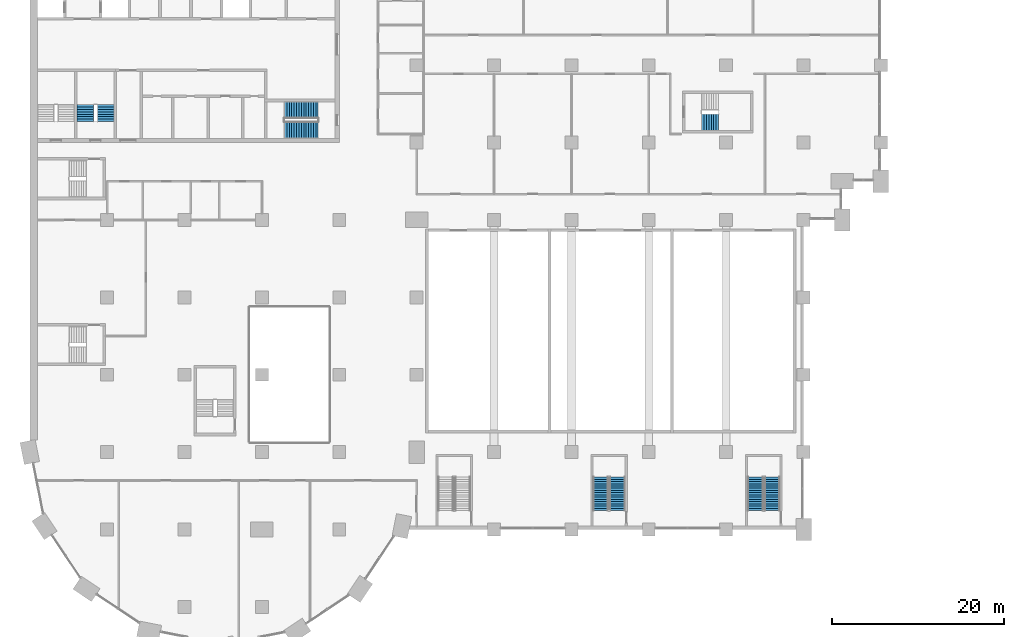
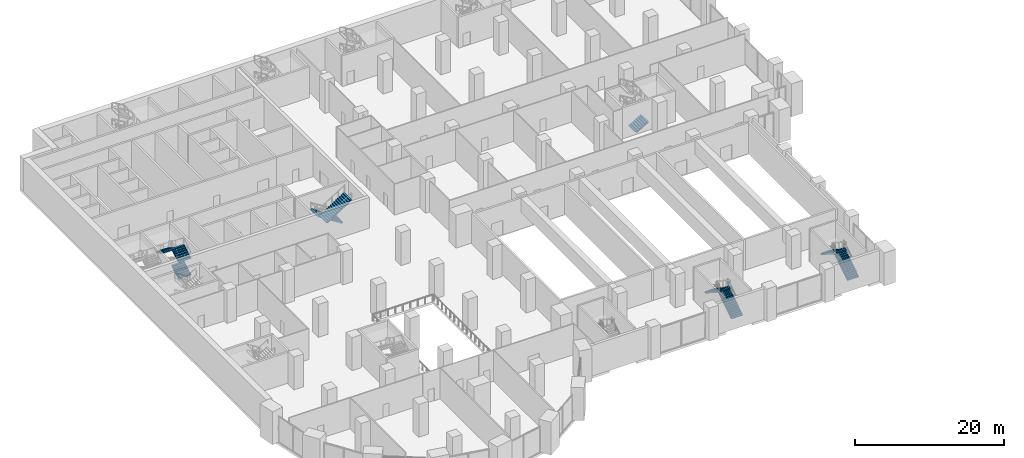
# One storey, part 26 of 43: 10 stair flights, 5 elements without a shape of their own.
"""IFC4 building model written with IfcOpenShell, lengths in metres."""

from ifc_helpers import new_model, si_unit, direction, frame, origin, place, context, subcontext, project, spatial, polyline, outline, extrude, material, type_object, element, aggregate, save


model = new_model("IFC4")

# Units and contexts
model_context = context("Model", 3, precision=1e-05, world=origin(), true_north=direction((0.0, 1.0)))
body_context = subcontext(model_context, "Body", "Model", "MODEL_VIEW")
ifc_project = project(units=[si_unit("LENGTHUNIT", "METRE"), si_unit("AREAUNIT", "SQUARE_METRE"), si_unit("VOLUMEUNIT", "CUBIC_METRE"), si_unit("PLANEANGLEUNIT", "RADIAN"), si_unit("MASSUNIT", "GRAM", prefix="KILO")], contexts=[model_context])

# Site, building, storey
site_placement = place(None, origin())
site = spatial("IfcSite", under=ifc_project, at=site_placement, CompositionType="ELEMENT")
building_placement = place(site_placement, origin())
building = spatial("IfcBuilding", under=site, at=building_placement, Name="Hunhe Ridgeline Campus", CompositionType="ELEMENT")
storey_placement = place(building_placement, frame((0.0, 0.0, 11.39990234375)))
storey = spatial("IfcBuildingStorey", under=building, at=storey_placement, Name="L02", CompositionType="ELEMENT", Elevation=11.39990234375)

# Stair, stair flights
ifc_material = material(Name="Concrete C40", Category="concrete")
stair_type_1 = type_object("IfcStairType", Name="Podium exit stair 1800", PredefinedType="HALF_TURN_STAIR", material=ifc_material)
stair_1_placement = place(storey_placement, origin())
stair_1 = element("IfcStair", 1, at=stair_1_placement, inside=storey, type_object=stair_type_1, Name="L02 podium stair PS2", PredefinedType="HALF_TURN_STAIR")
stair_flight_type_1 = type_object("IfcStairFlightType", Name="Podium stair flight 1800", PredefinedType="STRAIGHT", material=ifc_material)
stair_flight_1_placement = place(storey_placement, frame((68.35009765625, 20.199951171875, 0.0), z_axis=(0.0, 0.0, 1.0), x_axis=(0.0, 1.0, 0.0)))
stair_flight_1 = element("IfcStairFlight", 2, at=stair_flight_1_placement, type_object=stair_flight_type_1, Name="PS2 flight 1", NumberOfRisers=16, NumberOfTreads=15, PredefinedType="STRAIGHT", RiserHeight=0.16875, TreadLength=0.26, context=body_context, shape_type="SweptSolid", body=[
    extrude(outline(polyline([(0.0, 0.0), (0.0, 0.168701171875), (0.260009765625, 0.168701171875), (0.260009765625, 0.33740234375), (0.52001953125, 0.33740234375), (0.52001953125, 0.50634765625), (0.780029296875, 0.50634765625), (0.780029296875, 0.675048828125), (1.0400390625, 0.675048828125), (1.0400390625, 0.84375), (1.300048828125, 0.84375), (1.300048828125, 1.012451171875), (1.56005859375, 1.012451171875), (1.56005859375, 1.18115234375), (1.820068359375, 1.18115234375), (1.820068359375, 1.35009765625), (2.080078125, 1.35009765625), (2.080078125, 1.518798828125), (2.340087890625, 1.518798828125), (2.340087890625, 1.6875), (2.60009765625, 1.6875), (2.60009765625, 1.856201171875), (2.860107421875, 1.856201171875), (2.860107421875, 2.02490234375), (3.1201171875, 2.02490234375), (3.1201171875, 2.19384765625), (3.3798828125, 2.19384765625), (3.3798828125, 2.362548828125), (3.639892578125, 2.362548828125), (3.639892578125, 2.53125), (3.89990234375, 2.53125), (3.89990234375, 2.699951171875), (3.89990234375, 2.3525390625), (0.275390625, 0.0), (0.0, 0.0)])), frame((0.0, 0.89990234375, 0.0), z_axis=(0.0, -1.0, 0.0), x_axis=(1.0, 0.0, 0.0)), (0.0, 0.0, 1.0), 1.800048828125),
])
stair_flight_2_placement = place(storey_placement, frame((66.39990234375, 24.10009765625, 2.7001953125), z_axis=(0.0, 0.0, 1.0), x_axis=(0.0, -1.0, 0.0)))
stair_flight_2 = element("IfcStairFlight", 3, at=stair_flight_2_placement, type_object=stair_flight_type_1, Name="PS2 flight 2", NumberOfRisers=16, NumberOfTreads=15, PredefinedType="STRAIGHT", RiserHeight=0.16875, TreadLength=0.26, context=body_context, shape_type="SweptSolid", body=[
    extrude(outline(polyline([(0.0, 0.0), (0.0, 0.168701171875), (0.260009765625, 0.168701171875), (0.260009765625, 0.33740234375), (0.52001953125, 0.33740234375), (0.52001953125, 0.50634765625), (0.780029296875, 0.50634765625), (0.780029296875, 0.675048828125), (1.0400390625, 0.675048828125), (1.0400390625, 0.84375), (1.300048828125, 0.84375), (1.300048828125, 1.012451171875), (1.56005859375, 1.012451171875), (1.56005859375, 1.18115234375), (1.820068359375, 1.18115234375), (1.820068359375, 1.35009765625), (2.080078125, 1.35009765625), (2.080078125, 1.518798828125), (2.340087890625, 1.518798828125), (2.340087890625, 1.6875), (2.60009765625, 1.6875), (2.60009765625, 1.856201171875), (2.860107421875, 1.856201171875), (2.860107421875, 2.02490234375), (3.1201171875, 2.02490234375), (3.1201171875, 2.19384765625), (3.3798828125, 2.19384765625), (3.3798828125, 2.362548828125), (3.639892578125, 2.362548828125), (3.639892578125, 2.53125), (3.89990234375, 2.53125), (3.89990234375, 2.699951171875), (3.89990234375, 2.3525390625), (0.275390625, 0.0), (0.0, 0.0)])), frame((0.0, 0.89990234375, 0.0), z_axis=(0.0, -1.0, 0.0), x_axis=(1.0, 0.0, 0.0)), (0.0, 0.0, 1.0), 1.800048828125),
])
aggregate(stair_1, [stair_flight_1, stair_flight_2])

stair_2_placement = place(storey_placement, origin())
stair_2 = element("IfcStair", 4, at=stair_2_placement, inside=storey, type_object=stair_type_1, Name="L02 podium stair PS3", PredefinedType="HALF_TURN_STAIR")
stair_flight_3_placement = place(storey_placement, frame((86.35009765625, 20.199951171875, 0.0), z_axis=(0.0, 0.0, 1.0), x_axis=(0.0, 1.0, 0.0)))
stair_flight_3 = element("IfcStairFlight", 5, at=stair_flight_3_placement, type_object=stair_flight_type_1, Name="PS3 flight 1", NumberOfRisers=16, NumberOfTreads=15, PredefinedType="STRAIGHT", RiserHeight=0.16875, TreadLength=0.26, context=body_context, shape_type="SweptSolid", body=[
    extrude(outline(polyline([(0.0, 0.0), (0.0, 0.168701171875), (0.260009765625, 0.168701171875), (0.260009765625, 0.33740234375), (0.52001953125, 0.33740234375), (0.52001953125, 0.50634765625), (0.780029296875, 0.50634765625), (0.780029296875, 0.675048828125), (1.0400390625, 0.675048828125), (1.0400390625, 0.84375), (1.300048828125, 0.84375), (1.300048828125, 1.012451171875), (1.56005859375, 1.012451171875), (1.56005859375, 1.18115234375), (1.820068359375, 1.18115234375), (1.820068359375, 1.35009765625), (2.080078125, 1.35009765625), (2.080078125, 1.518798828125), (2.340087890625, 1.518798828125), (2.340087890625, 1.6875), (2.60009765625, 1.6875), (2.60009765625, 1.856201171875), (2.860107421875, 1.856201171875), (2.860107421875, 2.02490234375), (3.1201171875, 2.02490234375), (3.1201171875, 2.19384765625), (3.3798828125, 2.19384765625), (3.3798828125, 2.362548828125), (3.639892578125, 2.362548828125), (3.639892578125, 2.53125), (3.89990234375, 2.53125), (3.89990234375, 2.699951171875), (3.89990234375, 2.3525390625), (0.275390625, 0.0), (0.0, 0.0)])), frame((0.0, 0.89990234375, 0.0), z_axis=(0.0, -1.0, 0.0), x_axis=(1.0, 0.0, 0.0)), (0.0, 0.0, 1.0), 1.800048828125),
])
stair_flight_4_placement = place(storey_placement, frame((84.39990234375, 24.10009765625, 2.7001953125), z_axis=(0.0, 0.0, 1.0), x_axis=(0.0, -1.0, 0.0)))
stair_flight_4 = element("IfcStairFlight", 6, at=stair_flight_4_placement, type_object=stair_flight_type_1, Name="PS3 flight 2", NumberOfRisers=16, NumberOfTreads=15, PredefinedType="STRAIGHT", RiserHeight=0.16875, TreadLength=0.26, context=body_context, shape_type="SweptSolid", body=[
    extrude(outline(polyline([(0.0, 0.0), (0.0, 0.168701171875), (0.260009765625, 0.168701171875), (0.260009765625, 0.33740234375), (0.52001953125, 0.33740234375), (0.52001953125, 0.50634765625), (0.780029296875, 0.50634765625), (0.780029296875, 0.675048828125), (1.0400390625, 0.675048828125), (1.0400390625, 0.84375), (1.300048828125, 0.84375), (1.300048828125, 1.012451171875), (1.56005859375, 1.012451171875), (1.56005859375, 1.18115234375), (1.820068359375, 1.18115234375), (1.820068359375, 1.35009765625), (2.080078125, 1.35009765625), (2.080078125, 1.518798828125), (2.340087890625, 1.518798828125), (2.340087890625, 1.6875), (2.60009765625, 1.6875), (2.60009765625, 1.856201171875), (2.860107421875, 1.856201171875), (2.860107421875, 2.02490234375), (3.1201171875, 2.02490234375), (3.1201171875, 2.19384765625), (3.3798828125, 2.19384765625), (3.3798828125, 2.362548828125), (3.639892578125, 2.362548828125), (3.639892578125, 2.53125), (3.89990234375, 2.53125), (3.89990234375, 2.699951171875), (3.89990234375, 2.3525390625), (0.275390625, 0.0), (0.0, 0.0)])), frame((0.0, 0.89990234375, 0.0), z_axis=(0.0, -1.0, 0.0), x_axis=(1.0, 0.0, 0.0)), (0.0, 0.0, 1.0), 1.800048828125),
])
aggregate(stair_2, [stair_flight_3, stair_flight_4])

stair_type_2 = type_object("IfcStairType", Name="Reinforced concrete dog-leg stair 1950 Concrete C40", PredefinedType="HALF_TURN_STAIR", material=ifc_material)
stair_3_placement = place(storey_placement, origin())
stair_3 = element("IfcStair", 7, at=stair_3_placement, inside=storey, type_object=stair_type_2, Name="L02 S2", PredefinedType="HALF_TURN_STAIR")
stair_flight_type_2 = type_object("IfcStairFlightType", Name="Reinforced concrete stair flight 1950 Concrete C40", PredefinedType="STRAIGHT", material=ifc_material)
stair_flight_5_placement = place(storey_placement, frame((33.550048828125, 66.77490234375, 0.0), z_axis=(0.0, 0.0, 1.0), x_axis=(-1.0, 0.0, 0.0)))
stair_flight_5 = element("IfcStairFlight", 8, at=stair_flight_5_placement, type_object=stair_flight_type_2, Name="ST2 flight 1", NumberOfRisers=15, NumberOfTreads=14, PredefinedType="STRAIGHT", RiserHeight=0.18, TreadLength=0.28, context=body_context, shape_type="SweptSolid", body=[
    extrude(outline(polyline([(0.0, 0.0), (0.0, 0.179931640625), (0.280029296875, 0.179931640625), (0.280029296875, 0.360107421875), (0.56005859375, 0.360107421875), (0.56005859375, 0.5400390625), (0.840087890625, 0.5400390625), (0.840087890625, 0.719970703125), (1.1201171875, 0.719970703125), (1.1201171875, 0.89990234375), (1.39990234375, 0.89990234375), (1.39990234375, 1.080078125), (1.679931640625, 1.080078125), (1.679931640625, 1.260009765625), (1.9599609375, 1.260009765625), (1.9599609375, 1.43994140625), (2.239990234375, 1.43994140625), (2.239990234375, 1.6201171875), (2.52001953125, 1.6201171875), (2.52001953125, 1.800048828125), (2.800048828125, 1.800048828125), (2.800048828125, 1.97998046875), (3.080078125, 1.97998046875), (3.080078125, 2.159912109375), (3.360107421875, 2.159912109375), (3.360107421875, 2.340087890625), (3.639892578125, 2.340087890625), (3.639892578125, 2.52001953125), (3.919921875, 2.52001953125), (3.919921875, 2.699951171875), (3.919921875, 2.341796875), (0.277099609375, 0.0), (0.0, 0.0)])), frame((0.0, 0.97509765625, 0.0), z_axis=(0.0, -1.0, 0.0), x_axis=(1.0, 0.0, 0.0)), (0.0, 0.0, 1.0), 1.949951171875),
    extrude(outline(polyline([(0.030029296875, 0.030029296875), (0.030029296875, 0.14990234375), (0.31005859375, 0.14990234375), (0.31005859375, 0.330078125), (0.590087890625, 0.330078125), (0.590087890625, 0.510009765625), (0.8701171875, 0.510009765625), (0.8701171875, 0.68994140625), (1.14990234375, 0.68994140625), (1.14990234375, 0.8701171875), (1.429931640625, 0.8701171875), (1.429931640625, 1.050048828125), (1.7099609375, 1.050048828125), (1.7099609375, 1.22998046875), (1.989990234375, 1.22998046875), (1.989990234375, 1.409912109375), (2.27001953125, 1.409912109375), (2.27001953125, 1.590087890625), (2.550048828125, 1.590087890625), (2.550048828125, 1.77001953125), (2.830078125, 1.77001953125), (2.830078125, 1.949951171875), (3.110107421875, 1.949951171875), (3.110107421875, 2.1298828125), (3.389892578125, 2.1298828125), (3.389892578125, 2.31005859375), (3.669921875, 2.31005859375), (3.669921875, 2.489990234375), (3.889892578125, 2.489990234375), (3.889892578125, 2.358154296875), (0.268310546875, 0.030029296875), (0.030029296875, 0.030029296875)])), frame((0.0, -0.070068359375, 0.0), z_axis=(0.0, -1.0, 0.0), x_axis=(1.0, 0.0, 0.0)), (0.0, 0.0, 1.0), 0.019775390625),
    extrude(outline(polyline([(0.030029296875, 0.030029296875), (0.030029296875, 0.14990234375), (0.31005859375, 0.14990234375), (0.31005859375, 0.330078125), (0.590087890625, 0.330078125), (0.590087890625, 0.510009765625), (0.8701171875, 0.510009765625), (0.8701171875, 0.68994140625), (1.14990234375, 0.68994140625), (1.14990234375, 0.8701171875), (1.429931640625, 0.8701171875), (1.429931640625, 1.050048828125), (1.7099609375, 1.050048828125), (1.7099609375, 1.22998046875), (1.989990234375, 1.22998046875), (1.989990234375, 1.409912109375), (2.27001953125, 1.409912109375), (2.27001953125, 1.590087890625), (2.550048828125, 1.590087890625), (2.550048828125, 1.77001953125), (2.830078125, 1.77001953125), (2.830078125, 1.949951171875), (3.110107421875, 1.949951171875), (3.110107421875, 2.1298828125), (3.389892578125, 2.1298828125), (3.389892578125, 2.31005859375), (3.669921875, 2.31005859375), (3.669921875, 2.489990234375), (3.889892578125, 2.489990234375), (3.889892578125, 2.358154296875), (0.268310546875, 0.030029296875), (0.030029296875, 0.030029296875)])), frame((0.0, 0.010009765625, 0.0), z_axis=(0.0, -1.0, 0.0), x_axis=(1.0, 0.0, 0.0)), (0.0, 0.0, 1.0), 0.019775390625),
    extrude(outline(polyline([(0.030029296875, 0.030029296875), (0.030029296875, 0.14990234375), (0.31005859375, 0.14990234375), (0.31005859375, 0.330078125), (0.590087890625, 0.330078125), (0.590087890625, 0.510009765625), (0.8701171875, 0.510009765625), (0.8701171875, 0.68994140625), (1.14990234375, 0.68994140625), (1.14990234375, 0.8701171875), (1.429931640625, 0.8701171875), (1.429931640625, 1.050048828125), (1.7099609375, 1.050048828125), (1.7099609375, 1.22998046875), (1.989990234375, 1.22998046875), (1.989990234375, 1.409912109375), (2.27001953125, 1.409912109375), (2.27001953125, 1.590087890625), (2.550048828125, 1.590087890625), (2.550048828125, 1.77001953125), (2.830078125, 1.77001953125), (2.830078125, 1.949951171875), (3.110107421875, 1.949951171875), (3.110107421875, 2.1298828125), (3.389892578125, 2.1298828125), (3.389892578125, 2.31005859375), (3.669921875, 2.31005859375), (3.669921875, 2.489990234375), (3.889892578125, 2.489990234375), (3.889892578125, 2.358154296875), (0.268310546875, 0.030029296875), (0.030029296875, 0.030029296875)])), frame((0.0, 0.090087890625, 0.0), z_axis=(0.0, -1.0, 0.0), x_axis=(1.0, 0.0, 0.0)), (0.0, 0.0, 1.0), 0.019775390625),
])
stair_flight_6_placement = place(storey_placement, frame((29.6298828125, 64.47509765625, 2.7001953125), z_axis=(0.0, 0.0, 1.0), x_axis=(1.0, 0.0, 0.0)))
stair_flight_6 = element("IfcStairFlight", 9, at=stair_flight_6_placement, type_object=stair_flight_type_2, Name="ST2 flight 2", NumberOfRisers=15, NumberOfTreads=14, PredefinedType="STRAIGHT", RiserHeight=0.18, TreadLength=0.28, context=body_context, shape_type="SweptSolid", body=[
    extrude(outline(polyline([(0.0, 0.0), (0.0, 0.179931640625), (0.280029296875, 0.179931640625), (0.280029296875, 0.360107421875), (0.56005859375, 0.360107421875), (0.56005859375, 0.5400390625), (0.840087890625, 0.5400390625), (0.840087890625, 0.719970703125), (1.1201171875, 0.719970703125), (1.1201171875, 0.89990234375), (1.39990234375, 0.89990234375), (1.39990234375, 1.080078125), (1.679931640625, 1.080078125), (1.679931640625, 1.260009765625), (1.9599609375, 1.260009765625), (1.9599609375, 1.43994140625), (2.239990234375, 1.43994140625), (2.239990234375, 1.6201171875), (2.52001953125, 1.6201171875), (2.52001953125, 1.800048828125), (2.800048828125, 1.800048828125), (2.800048828125, 1.97998046875), (3.080078125, 1.97998046875), (3.080078125, 2.159912109375), (3.360107421875, 2.159912109375), (3.360107421875, 2.340087890625), (3.639892578125, 2.340087890625), (3.639892578125, 2.52001953125), (3.919921875, 2.52001953125), (3.919921875, 2.699951171875), (3.919921875, 2.341796875), (0.277099609375, 0.0), (0.0, 0.0)])), frame((0.0, 0.97509765625, 0.0), z_axis=(0.0, -1.0, 0.0), x_axis=(1.0, 0.0, 0.0)), (0.0, 0.0, 1.0), 1.949951171875),
    extrude(outline(polyline([(0.030029296875, 0.030029296875), (0.030029296875, 0.14990234375), (0.31005859375, 0.14990234375), (0.31005859375, 0.330078125), (0.590087890625, 0.330078125), (0.590087890625, 0.510009765625), (0.8701171875, 0.510009765625), (0.8701171875, 0.68994140625), (1.14990234375, 0.68994140625), (1.14990234375, 0.8701171875), (1.429931640625, 0.8701171875), (1.429931640625, 1.050048828125), (1.7099609375, 1.050048828125), (1.7099609375, 1.22998046875), (1.989990234375, 1.22998046875), (1.989990234375, 1.409912109375), (2.27001953125, 1.409912109375), (2.27001953125, 1.590087890625), (2.550048828125, 1.590087890625), (2.550048828125, 1.77001953125), (2.830078125, 1.77001953125), (2.830078125, 1.949951171875), (3.110107421875, 1.949951171875), (3.110107421875, 2.1298828125), (3.389892578125, 2.1298828125), (3.389892578125, 2.31005859375), (3.669921875, 2.31005859375), (3.669921875, 2.489990234375), (3.889892578125, 2.489990234375), (3.889892578125, 2.358154296875), (0.268310546875, 0.030029296875), (0.030029296875, 0.030029296875)])), frame((0.0, -0.070068359375, 0.0), z_axis=(0.0, -1.0, 0.0), x_axis=(1.0, 0.0, 0.0)), (0.0, 0.0, 1.0), 0.019775390625),
    extrude(outline(polyline([(0.030029296875, 0.030029296875), (0.030029296875, 0.14990234375), (0.31005859375, 0.14990234375), (0.31005859375, 0.330078125), (0.590087890625, 0.330078125), (0.590087890625, 0.510009765625), (0.8701171875, 0.510009765625), (0.8701171875, 0.68994140625), (1.14990234375, 0.68994140625), (1.14990234375, 0.8701171875), (1.429931640625, 0.8701171875), (1.429931640625, 1.050048828125), (1.7099609375, 1.050048828125), (1.7099609375, 1.22998046875), (1.989990234375, 1.22998046875), (1.989990234375, 1.409912109375), (2.27001953125, 1.409912109375), (2.27001953125, 1.590087890625), (2.550048828125, 1.590087890625), (2.550048828125, 1.77001953125), (2.830078125, 1.77001953125), (2.830078125, 1.949951171875), (3.110107421875, 1.949951171875), (3.110107421875, 2.1298828125), (3.389892578125, 2.1298828125), (3.389892578125, 2.31005859375), (3.669921875, 2.31005859375), (3.669921875, 2.489990234375), (3.889892578125, 2.489990234375), (3.889892578125, 2.358154296875), (0.268310546875, 0.030029296875), (0.030029296875, 0.030029296875)])), frame((0.0, 0.010009765625, 0.0), z_axis=(0.0, -1.0, 0.0), x_axis=(1.0, 0.0, 0.0)), (0.0, 0.0, 1.0), 0.019775390625),
    extrude(outline(polyline([(0.030029296875, 0.030029296875), (0.030029296875, 0.14990234375), (0.31005859375, 0.14990234375), (0.31005859375, 0.330078125), (0.590087890625, 0.330078125), (0.590087890625, 0.510009765625), (0.8701171875, 0.510009765625), (0.8701171875, 0.68994140625), (1.14990234375, 0.68994140625), (1.14990234375, 0.8701171875), (1.429931640625, 0.8701171875), (1.429931640625, 1.050048828125), (1.7099609375, 1.050048828125), (1.7099609375, 1.22998046875), (1.989990234375, 1.22998046875), (1.989990234375, 1.409912109375), (2.27001953125, 1.409912109375), (2.27001953125, 1.590087890625), (2.550048828125, 1.590087890625), (2.550048828125, 1.77001953125), (2.830078125, 1.77001953125), (2.830078125, 1.949951171875), (3.110107421875, 1.949951171875), (3.110107421875, 2.1298828125), (3.389892578125, 2.1298828125), (3.389892578125, 2.31005859375), (3.669921875, 2.31005859375), (3.669921875, 2.489990234375), (3.889892578125, 2.489990234375), (3.889892578125, 2.358154296875), (0.268310546875, 0.030029296875), (0.030029296875, 0.030029296875)])), frame((0.0, 0.090087890625, 0.0), z_axis=(0.0, -1.0, 0.0), x_axis=(1.0, 0.0, 0.0)), (0.0, 0.0, 1.0), 0.019775390625),
])
aggregate(stair_3, [stair_flight_5, stair_flight_6])

stair_4_placement = place(storey_placement, origin())
stair_4 = element("IfcStair", 10, at=stair_4_placement, inside=storey, type_object=stair_type_2, Name="L02 S4", PredefinedType="HALF_TURN_STAIR")
stair_flight_7_placement = place(storey_placement, frame((8.824951171875, 65.449951171875, 0.0), z_axis=(0.0, 0.0, 1.0), x_axis=(0.0, 1.0, 0.0)))
stair_flight_7 = element("IfcStairFlight", 11, at=stair_flight_7_placement, type_object=stair_flight_type_2, Name="ST4 flight 1", NumberOfRisers=8, NumberOfTreads=7, PredefinedType="STRAIGHT", RiserHeight=0.16875, TreadLength=0.28, context=body_context, shape_type="SweptSolid", body=[
    extrude(outline(polyline([(0.0, 0.0), (0.0, 0.168701171875), (0.280029296875, 0.168701171875), (0.280029296875, 0.33740234375), (0.56005859375, 0.33740234375), (0.56005859375, 0.50634765625), (0.840087890625, 0.50634765625), (0.840087890625, 0.675048828125), (1.1201171875, 0.675048828125), (1.1201171875, 0.84375), (1.39990234375, 0.84375), (1.39990234375, 1.012451171875), (1.679931640625, 1.012451171875), (1.679931640625, 1.18115234375), (1.9599609375, 1.18115234375), (1.9599609375, 1.35009765625), (1.9599609375, 1.00634765625), (0.29052734375, 0.0), (0.0, 0.0)])), frame((0.0, 0.97509765625, 0.0), z_axis=(0.0, -1.0, 0.0), x_axis=(1.0, 0.0, 0.0)), (0.0, 0.0, 1.0), 1.949951171875),
    extrude(outline(polyline([(0.030029296875, 0.030029296875), (0.030029296875, 0.138916015625), (0.31005859375, 0.138916015625), (0.31005859375, 0.3076171875), (0.590087890625, 0.3076171875), (0.590087890625, 0.476318359375), (0.8701171875, 0.476318359375), (0.8701171875, 0.64501953125), (1.14990234375, 0.64501953125), (1.14990234375, 0.813720703125), (1.429931640625, 0.813720703125), (1.429931640625, 0.982421875), (1.7099609375, 0.982421875), (1.7099609375, 1.1513671875), (1.929931640625, 1.1513671875), (1.929931640625, 1.023193359375), (0.281982421875, 0.030029296875), (0.030029296875, 0.030029296875)])), frame((0.0, -0.070068359375, 0.0), z_axis=(0.0, -1.0, 0.0), x_axis=(1.0, 0.0, 0.0)), (0.0, 0.0, 1.0), 0.019775390625),
    extrude(outline(polyline([(0.030029296875, 0.030029296875), (0.030029296875, 0.138916015625), (0.31005859375, 0.138916015625), (0.31005859375, 0.3076171875), (0.590087890625, 0.3076171875), (0.590087890625, 0.476318359375), (0.8701171875, 0.476318359375), (0.8701171875, 0.64501953125), (1.14990234375, 0.64501953125), (1.14990234375, 0.813720703125), (1.429931640625, 0.813720703125), (1.429931640625, 0.982421875), (1.7099609375, 0.982421875), (1.7099609375, 1.1513671875), (1.929931640625, 1.1513671875), (1.929931640625, 1.023193359375), (0.281982421875, 0.030029296875), (0.030029296875, 0.030029296875)])), frame((0.0, 0.010009765625, 0.0), z_axis=(0.0, -1.0, 0.0), x_axis=(1.0, 0.0, 0.0)), (0.0, 0.0, 1.0), 0.019775390625),
    extrude(outline(polyline([(0.030029296875, 0.030029296875), (0.030029296875, 0.138916015625), (0.31005859375, 0.138916015625), (0.31005859375, 0.3076171875), (0.590087890625, 0.3076171875), (0.590087890625, 0.476318359375), (0.8701171875, 0.476318359375), (0.8701171875, 0.64501953125), (1.14990234375, 0.64501953125), (1.14990234375, 0.813720703125), (1.429931640625, 0.813720703125), (1.429931640625, 0.982421875), (1.7099609375, 0.982421875), (1.7099609375, 1.1513671875), (1.929931640625, 1.1513671875), (1.929931640625, 1.023193359375), (0.281982421875, 0.030029296875), (0.030029296875, 0.030029296875)])), frame((0.0, 0.090087890625, 0.0), z_axis=(0.0, -1.0, 0.0), x_axis=(1.0, 0.0, 0.0)), (0.0, 0.0, 1.0), 0.019775390625),
])
stair_flight_8_placement = place(storey_placement, frame((8.824951171875, 65.449951171875, 2.7001953125), z_axis=(0.0, 0.0, 1.0), x_axis=(0.0, 1.0, 0.0)))
stair_flight_8 = element("IfcStairFlight", 12, at=stair_flight_8_placement, type_object=stair_flight_type_2, Name="ST4 flight 3", NumberOfRisers=8, NumberOfTreads=7, PredefinedType="STRAIGHT", RiserHeight=0.16875, TreadLength=0.28, context=body_context, shape_type="SweptSolid", body=[
    extrude(outline(polyline([(0.0, 0.0), (0.0, 0.168701171875), (0.280029296875, 0.168701171875), (0.280029296875, 0.33740234375), (0.56005859375, 0.33740234375), (0.56005859375, 0.50634765625), (0.840087890625, 0.50634765625), (0.840087890625, 0.675048828125), (1.1201171875, 0.675048828125), (1.1201171875, 0.84375), (1.39990234375, 0.84375), (1.39990234375, 1.012451171875), (1.679931640625, 1.012451171875), (1.679931640625, 1.18115234375), (1.9599609375, 1.18115234375), (1.9599609375, 1.35009765625), (1.9599609375, 1.00634765625), (0.29052734375, 0.0), (0.0, 0.0)])), frame((0.0, 0.97509765625, 0.0), z_axis=(0.0, -1.0, 0.0), x_axis=(1.0, 0.0, 0.0)), (0.0, 0.0, 1.0), 1.949951171875),
    extrude(outline(polyline([(0.030029296875, 0.030029296875), (0.030029296875, 0.138916015625), (0.31005859375, 0.138916015625), (0.31005859375, 0.3076171875), (0.590087890625, 0.3076171875), (0.590087890625, 0.476318359375), (0.8701171875, 0.476318359375), (0.8701171875, 0.64501953125), (1.14990234375, 0.64501953125), (1.14990234375, 0.813720703125), (1.429931640625, 0.813720703125), (1.429931640625, 0.982421875), (1.7099609375, 0.982421875), (1.7099609375, 1.1513671875), (1.929931640625, 1.1513671875), (1.929931640625, 1.023193359375), (0.281982421875, 0.030029296875), (0.030029296875, 0.030029296875)])), frame((0.0, -0.070068359375, 0.0), z_axis=(0.0, -1.0, 0.0), x_axis=(1.0, 0.0, 0.0)), (0.0, 0.0, 1.0), 0.019775390625),
    extrude(outline(polyline([(0.030029296875, 0.030029296875), (0.030029296875, 0.138916015625), (0.31005859375, 0.138916015625), (0.31005859375, 0.3076171875), (0.590087890625, 0.3076171875), (0.590087890625, 0.476318359375), (0.8701171875, 0.476318359375), (0.8701171875, 0.64501953125), (1.14990234375, 0.64501953125), (1.14990234375, 0.813720703125), (1.429931640625, 0.813720703125), (1.429931640625, 0.982421875), (1.7099609375, 0.982421875), (1.7099609375, 1.1513671875), (1.929931640625, 1.1513671875), (1.929931640625, 1.023193359375), (0.281982421875, 0.030029296875), (0.030029296875, 0.030029296875)])), frame((0.0, 0.010009765625, 0.0), z_axis=(0.0, -1.0, 0.0), x_axis=(1.0, 0.0, 0.0)), (0.0, 0.0, 1.0), 0.019775390625),
    extrude(outline(polyline([(0.030029296875, 0.030029296875), (0.030029296875, 0.138916015625), (0.31005859375, 0.138916015625), (0.31005859375, 0.3076171875), (0.590087890625, 0.3076171875), (0.590087890625, 0.476318359375), (0.8701171875, 0.476318359375), (0.8701171875, 0.64501953125), (1.14990234375, 0.64501953125), (1.14990234375, 0.813720703125), (1.429931640625, 0.813720703125), (1.429931640625, 0.982421875), (1.7099609375, 0.982421875), (1.7099609375, 1.1513671875), (1.929931640625, 1.1513671875), (1.929931640625, 1.023193359375), (0.281982421875, 0.030029296875), (0.030029296875, 0.030029296875)])), frame((0.0, 0.090087890625, 0.0), z_axis=(0.0, -1.0, 0.0), x_axis=(1.0, 0.0, 0.0)), (0.0, 0.0, 1.0), 0.019775390625),
])
stair_flight_9_placement = place(storey_placement, frame((6.47509765625, 67.409912109375, 4.050048828125), z_axis=(0.0, 0.0, 1.0), x_axis=(0.0, -1.0, 0.0)))
stair_flight_9 = element("IfcStairFlight", 13, at=stair_flight_9_placement, type_object=stair_flight_type_2, Name="ST4 flight 4", NumberOfRisers=8, NumberOfTreads=7, PredefinedType="STRAIGHT", RiserHeight=0.16875, TreadLength=0.28, context=body_context, shape_type="SweptSolid", body=[
    extrude(outline(polyline([(0.0, 0.0), (0.0, 0.168701171875), (0.280029296875, 0.168701171875), (0.280029296875, 0.33740234375), (0.56005859375, 0.33740234375), (0.56005859375, 0.50634765625), (0.840087890625, 0.50634765625), (0.840087890625, 0.675048828125), (1.1201171875, 0.675048828125), (1.1201171875, 0.84375), (1.39990234375, 0.84375), (1.39990234375, 1.012451171875), (1.679931640625, 1.012451171875), (1.679931640625, 1.18115234375), (1.9599609375, 1.18115234375), (1.9599609375, 1.35009765625), (1.9599609375, 1.00634765625), (0.29052734375, 0.0), (0.0, 0.0)])), frame((0.0, 0.97509765625, 0.0), z_axis=(0.0, -1.0, 0.0), x_axis=(1.0, 0.0, 0.0)), (0.0, 0.0, 1.0), 1.949951171875),
    extrude(outline(polyline([(0.030029296875, 0.030029296875), (0.030029296875, 0.138916015625), (0.31005859375, 0.138916015625), (0.31005859375, 0.3076171875), (0.590087890625, 0.3076171875), (0.590087890625, 0.476318359375), (0.8701171875, 0.476318359375), (0.8701171875, 0.64501953125), (1.14990234375, 0.64501953125), (1.14990234375, 0.813720703125), (1.429931640625, 0.813720703125), (1.429931640625, 0.982421875), (1.7099609375, 0.982421875), (1.7099609375, 1.1513671875), (1.929931640625, 1.1513671875), (1.929931640625, 1.023193359375), (0.281982421875, 0.030029296875), (0.030029296875, 0.030029296875)])), frame((0.0, -0.070068359375, 0.0), z_axis=(0.0, -1.0, 0.0), x_axis=(1.0, 0.0, 0.0)), (0.0, 0.0, 1.0), 0.019775390625),
    extrude(outline(polyline([(0.030029296875, 0.030029296875), (0.030029296875, 0.138916015625), (0.31005859375, 0.138916015625), (0.31005859375, 0.3076171875), (0.590087890625, 0.3076171875), (0.590087890625, 0.476318359375), (0.8701171875, 0.476318359375), (0.8701171875, 0.64501953125), (1.14990234375, 0.64501953125), (1.14990234375, 0.813720703125), (1.429931640625, 0.813720703125), (1.429931640625, 0.982421875), (1.7099609375, 0.982421875), (1.7099609375, 1.1513671875), (1.929931640625, 1.1513671875), (1.929931640625, 1.023193359375), (0.281982421875, 0.030029296875), (0.030029296875, 0.030029296875)])), frame((0.0, 0.010009765625, 0.0), z_axis=(0.0, -1.0, 0.0), x_axis=(1.0, 0.0, 0.0)), (0.0, 0.0, 1.0), 0.019775390625),
    extrude(outline(polyline([(0.030029296875, 0.030029296875), (0.030029296875, 0.138916015625), (0.31005859375, 0.138916015625), (0.31005859375, 0.3076171875), (0.590087890625, 0.3076171875), (0.590087890625, 0.476318359375), (0.8701171875, 0.476318359375), (0.8701171875, 0.64501953125), (1.14990234375, 0.64501953125), (1.14990234375, 0.813720703125), (1.429931640625, 0.813720703125), (1.429931640625, 0.982421875), (1.7099609375, 0.982421875), (1.7099609375, 1.1513671875), (1.929931640625, 1.1513671875), (1.929931640625, 1.023193359375), (0.281982421875, 0.030029296875), (0.030029296875, 0.030029296875)])), frame((0.0, 0.090087890625, 0.0), z_axis=(0.0, -1.0, 0.0), x_axis=(1.0, 0.0, 0.0)), (0.0, 0.0, 1.0), 0.019775390625),
])
aggregate(stair_4, [stair_flight_7, stair_flight_8, stair_flight_9])

# Stair, stair flight
stair_5_placement = place(storey_placement, origin())
stair_5 = element("IfcStair", 14, at=stair_5_placement, inside=storey, type_object=stair_type_2, Name="L02 E5", PredefinedType="HALF_TURN_STAIR")
stair_flight_10_placement = place(storey_placement, frame((78.14990234375, 65.375, 0.0), z_axis=(0.0, 0.0, 1.0), x_axis=(1.0, 0.0, 0.0)))
stair_flight_10 = element("IfcStairFlight", 15, at=stair_flight_10_placement, type_object=stair_flight_type_2, Name="ST10 flight 1", NumberOfRisers=8, NumberOfTreads=7, PredefinedType="STRAIGHT", RiserHeight=0.16875, TreadLength=0.28, context=body_context, shape_type="SweptSolid", body=[
    extrude(outline(polyline([(0.0, 0.0), (0.0, 0.168701171875), (0.280029296875, 0.168701171875), (0.280029296875, 0.33740234375), (0.56005859375, 0.33740234375), (0.56005859375, 0.50634765625), (0.840087890625, 0.50634765625), (0.840087890625, 0.675048828125), (1.1201171875, 0.675048828125), (1.1201171875, 0.84375), (1.39990234375, 0.84375), (1.39990234375, 1.012451171875), (1.679931640625, 1.012451171875), (1.679931640625, 1.18115234375), (1.9599609375, 1.18115234375), (1.9599609375, 1.35009765625), (1.9599609375, 1.00634765625), (0.29052734375, 0.0), (0.0, 0.0)])), frame((0.0, 0.97509765625, 0.0), z_axis=(0.0, -1.0, 0.0), x_axis=(1.0, 0.0, 0.0)), (0.0, 0.0, 1.0), 1.949951171875),
    extrude(outline(polyline([(0.030029296875, 0.030029296875), (0.030029296875, 0.138916015625), (0.31005859375, 0.138916015625), (0.31005859375, 0.3076171875), (0.590087890625, 0.3076171875), (0.590087890625, 0.476318359375), (0.8701171875, 0.476318359375), (0.8701171875, 0.64501953125), (1.14990234375, 0.64501953125), (1.14990234375, 0.813720703125), (1.429931640625, 0.813720703125), (1.429931640625, 0.982421875), (1.7099609375, 0.982421875), (1.7099609375, 1.1513671875), (1.929931640625, 1.1513671875), (1.929931640625, 1.023193359375), (0.281982421875, 0.030029296875), (0.030029296875, 0.030029296875)])), frame((0.0, -0.070068359375, 0.0), z_axis=(0.0, -1.0, 0.0), x_axis=(1.0, 0.0, 0.0)), (0.0, 0.0, 1.0), 0.019775390625),
    extrude(outline(polyline([(0.030029296875, 0.030029296875), (0.030029296875, 0.138916015625), (0.31005859375, 0.138916015625), (0.31005859375, 0.3076171875), (0.590087890625, 0.3076171875), (0.590087890625, 0.476318359375), (0.8701171875, 0.476318359375), (0.8701171875, 0.64501953125), (1.14990234375, 0.64501953125), (1.14990234375, 0.813720703125), (1.429931640625, 0.813720703125), (1.429931640625, 0.982421875), (1.7099609375, 0.982421875), (1.7099609375, 1.1513671875), (1.929931640625, 1.1513671875), (1.929931640625, 1.023193359375), (0.281982421875, 0.030029296875), (0.030029296875, 0.030029296875)])), frame((0.0, 0.010009765625, 0.0), z_axis=(0.0, -1.0, 0.0), x_axis=(1.0, 0.0, 0.0)), (0.0, 0.0, 1.0), 0.019775390625),
    extrude(outline(polyline([(0.030029296875, 0.030029296875), (0.030029296875, 0.138916015625), (0.31005859375, 0.138916015625), (0.31005859375, 0.3076171875), (0.590087890625, 0.3076171875), (0.590087890625, 0.476318359375), (0.8701171875, 0.476318359375), (0.8701171875, 0.64501953125), (1.14990234375, 0.64501953125), (1.14990234375, 0.813720703125), (1.429931640625, 0.813720703125), (1.429931640625, 0.982421875), (1.7099609375, 0.982421875), (1.7099609375, 1.1513671875), (1.929931640625, 1.1513671875), (1.929931640625, 1.023193359375), (0.281982421875, 0.030029296875), (0.030029296875, 0.030029296875)])), frame((0.0, 0.090087890625, 0.0), z_axis=(0.0, -1.0, 0.0), x_axis=(1.0, 0.0, 0.0)), (0.0, 0.0, 1.0), 0.019775390625),
])
aggregate(stair_5, [stair_flight_10])

save(model, "model.ifc")
